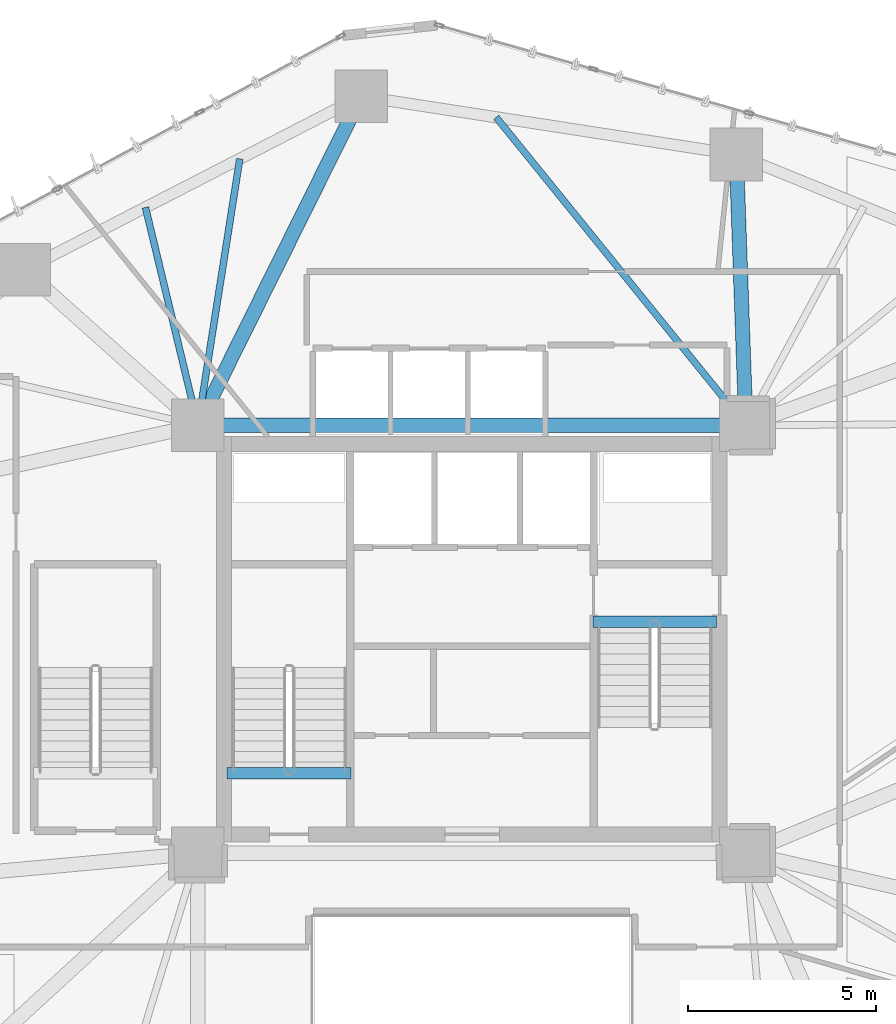
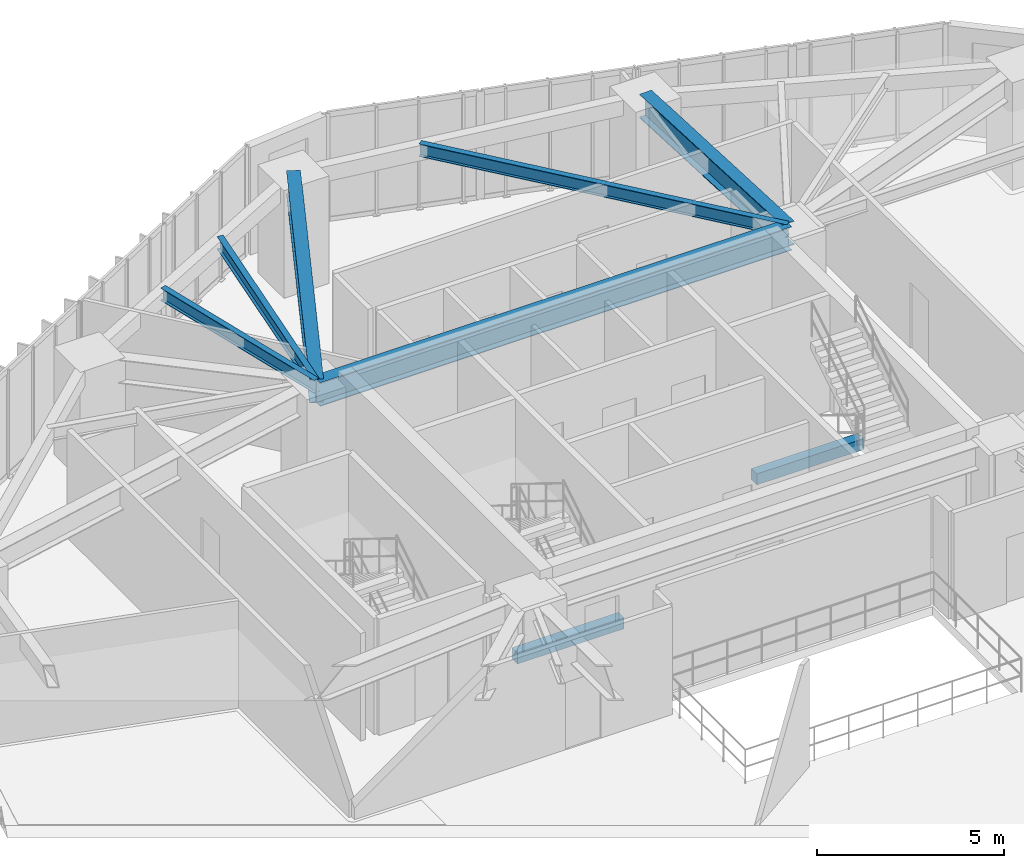
# One storey, part 9 of 24: 8 beams.
"""IFC4 building model written with IfcOpenShell, lengths in metres."""

from ifc_helpers import new_model, si_unit, direction, frame, origin, origin_2d, place, context, subcontext, project, spatial, rectangle, i_section, extrude, material, material_profile, profile_set, type_object, element, save


model = new_model("IFC4")

# Units and contexts
model_context = context("Model", 3, precision=1e-05, world=origin(), true_north=direction((0.0, 1.0)))
body_context = subcontext(model_context, "Body", "Model", "MODEL_VIEW")
ifc_project = project(units=[si_unit("LENGTHUNIT", "METRE"), si_unit("AREAUNIT", "SQUARE_METRE"), si_unit("VOLUMEUNIT", "CUBIC_METRE"), si_unit("PLANEANGLEUNIT", "RADIAN"), si_unit("MASSUNIT", "GRAM", prefix="KILO")], contexts=[model_context])

# Site, building, storey
site_placement = place(None, origin())
site = spatial("IfcSite", under=ifc_project, at=site_placement, CompositionType="ELEMENT")
building_placement = place(site_placement, origin())
building = spatial("IfcBuilding", under=site, at=building_placement, Name="Talar Marvaseh", CompositionType="ELEMENT")
storey_placement = place(building_placement, frame((0.0, 0.0, 43.0)))
storey = spatial("IfcBuildingStorey", under=building, at=storey_placement, Name="L10", CompositionType="ELEMENT", Elevation=43.0)

# Beams
ifc_material_1 = material(Name="Concrete C40/50", Category="concrete")
ifc_material_profile_1 = material_profile(ifc_material_1, rectangle(XDim=0.300048828125, YDim=0.360107421875, at=origin_2d()), Name="RC300x360")
ifc_profile_set_1 = profile_set([ifc_material_profile_1], Name="Concrete C40/50")
beam_type_1 = type_object("IfcBeamType", Name="Concrete Stair Landing Trimmer Beam RC300x360", PredefinedType="SPANDREL", material=ifc_profile_set_1)
for number, where, z_axis, x_axis, name in (
    (1, (22.780029296875, 27.6298828125, -0.179931640625), (-1.0, 0.0, 0.0), (0.0, -1.0, 0.0), "L10 ST-1 Stair Nosing Trimmer Beam"),
    (2, (29.219970703125, 31.669921875, -0.179931640625), (1.0, 0.0, 0.0), (0.0, 1.0, 0.0), "L10 ST-2 Stair Nosing Trimmer Beam"),
):
    element("IfcBeam", number, at=place(storey_placement, frame(where, z_axis=z_axis, x_axis=x_axis)), inside=storey, type_object=beam_type_1, Name=name, PredefinedType="SPANDREL", context=body_context, shape_type="SweptSolid", body=[
        extrude(rectangle(XDim=0.300048828125, YDim=0.360107421875, at=origin_2d()), origin(), (0.0, 0.0, 1.0), 3.300048828125),
    ])
ifc_material_2 = material(Name="Steel S355", Category="steel")
ifc_material_profile_2 = material_profile(ifc_material_2, i_section(OverallWidth=0.381103515625, OverallDepth=0.77294921875, WebThickness=0.0166015625, FlangeThickness=0.027099609375, at=origin_2d()), Name="W760x257")
ifc_profile_set_2 = profile_set([ifc_material_profile_2], Name="Steel S355")
beam_type_2 = type_object("IfcBeamType", Name="Zone 1 Radial Floor Girder W760x257", PredefinedType="BEAM", material=ifc_profile_set_2)
beam_1_placement = place(storey_placement, frame((18.699951171875, 36.89990234375, 3.133544921875), z_axis=(1.0, 0.0, 0.0), x_axis=(0.0, 1.0, 0.0)))
element("IfcBeam", 3, at=beam_1_placement, inside=storey, type_object=beam_type_2, Name="L10 Zone 1 Radial Floor Girder W760x257", PredefinedType="BEAM", context=body_context, shape_type="SweptSolid", body=[
    extrude(i_section(OverallWidth=0.381103515625, OverallDepth=0.77294921875, WebThickness=0.0166015625, FlangeThickness=0.027099609375, at=origin_2d()), origin(), (0.0, 0.0, 1.0), 14.60009765625),
])
beam_2_placement = place(storey_placement, frame((23.047119140625, 45.6669921875, 3.133544921875), z_axis=(-0.444237233911, -0.895909191831, 0.0), x_axis=(0.895909191831, -0.444237233911, 0.0)))
element("IfcBeam", 4, at=beam_2_placement, inside=storey, type_object=beam_type_2, Name="L10 Zone 1 Radial Floor Girder W760x257", PredefinedType="BEAM", context=body_context, shape_type="SweptSolid", body=[
    extrude(i_section(OverallWidth=0.381103515625, OverallDepth=0.77294921875, WebThickness=0.0166015625, FlangeThickness=0.027099609375, at=origin_2d()), origin(), (0.0, 0.0, 1.0), 9.78564453125),
])
beam_3_placement = place(storey_placement, frame((33.0458984375, 44.117919921875, 3.133544921875), z_axis=(0.03518874657, -0.999380684281, 0.0), x_axis=(0.999380684281, 0.03518874657, 0.0)))
element("IfcBeam", 5, at=beam_3_placement, inside=storey, type_object=beam_type_2, Name="L10 Zone 1 Radial Floor Girder W760x257", PredefinedType="BEAM", context=body_context, shape_type="SweptSolid", body=[
    extrude(i_section(OverallWidth=0.381103515625, OverallDepth=0.77294921875, WebThickness=0.0166015625, FlangeThickness=0.027099609375, at=origin_2d()), origin(), (0.0, 0.0, 1.0), 7.222412109375),
])
ifc_material_profile_3 = material_profile(ifc_material_2, i_section(OverallWidth=0.179931640625, OverallDepth=0.4130859375, WebThickness=0.009765625, FlangeThickness=0.01611328125, at=origin_2d()), Name="W410x75")
ifc_profile_set_3 = profile_set([ifc_material_profile_3], Name="Steel S355")
beam_type_3 = type_object("IfcBeamType", Name="Zone 1 Secondary Floor Joist W410x75", PredefinedType="JOIST", material=ifc_profile_set_3)
beam_4_placement = place(storey_placement, frame((17.301025390625, 42.70751953125, 3.3134765625), z_axis=(0.234179742477, -0.972193318334, 0.0), x_axis=(0.972193318334, 0.234179742477, 0.0)))
element("IfcBeam", 6, at=beam_4_placement, inside=storey, type_object=beam_type_3, Name="L10 Zone 1 Secondary Floor Joist W410x75", PredefinedType="JOIST", context=body_context, shape_type="SweptSolid", body=[
    extrude(i_section(OverallWidth=0.179931640625, OverallDepth=0.4130859375, WebThickness=0.009765625, FlangeThickness=0.01611328125, at=origin_2d()), origin(), (0.0, 0.0, 1.0), 5.9736328125),
])
beam_5_placement = place(storey_placement, frame((19.81494140625, 44.00244140625, 3.3134765625), z_axis=(-0.15508539052, -0.987901068755, 0.0), x_axis=(0.987901068755, -0.15508539052, 0.0)))
element("IfcBeam", 7, at=beam_5_placement, inside=storey, type_object=beam_type_3, Name="L10 Zone 1 Secondary Floor Joist W410x75", PredefinedType="JOIST", context=body_context, shape_type="SweptSolid", body=[
    extrude(i_section(OverallWidth=0.179931640625, OverallDepth=0.4130859375, WebThickness=0.009765625, FlangeThickness=0.01611328125, at=origin_2d()), origin(), (0.0, 0.0, 1.0), 7.189453125),
])
beam_6_placement = place(storey_placement, frame((26.646484375, 45.109375, 3.3134765625), z_axis=(0.629644089062, -0.776883724317, 0.0), x_axis=(0.776883724317, 0.629644089062, 0.0)))
element("IfcBeam", 8, at=beam_6_placement, inside=storey, type_object=beam_type_3, Name="L10 Zone 1 Secondary Floor Joist W410x75", PredefinedType="JOIST", context=body_context, shape_type="SweptSolid", body=[
    extrude(i_section(OverallWidth=0.179931640625, OverallDepth=0.4130859375, WebThickness=0.009765625, FlangeThickness=0.01611328125, at=origin_2d()), origin(), (0.0, 0.0, 1.0), 10.567138671875),
])

save(model, "model.ifc")
